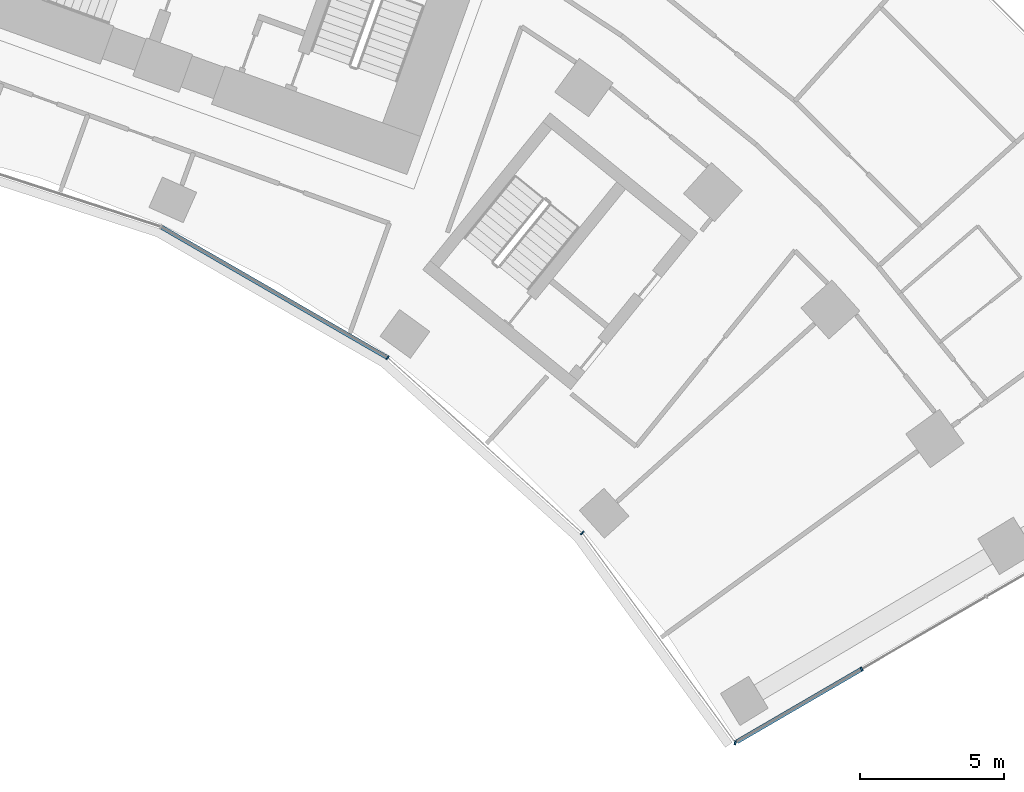
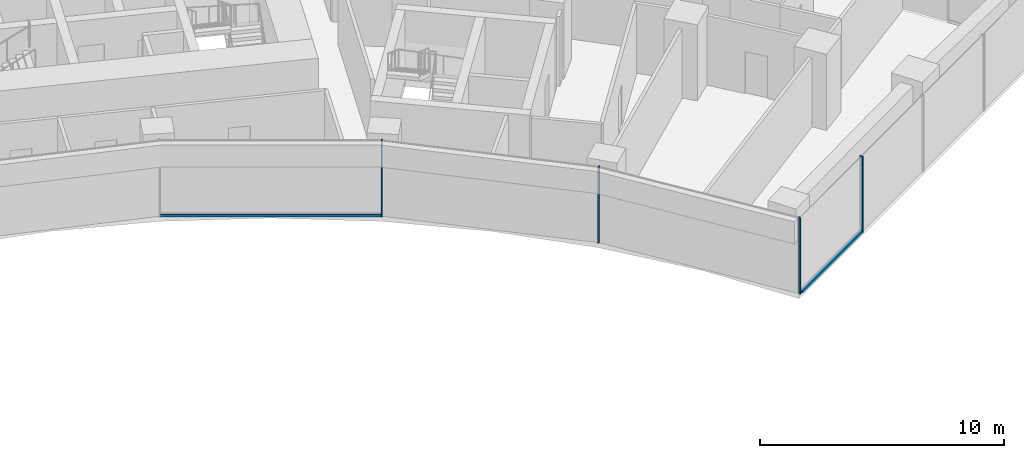
# One storey, part 7 of 20: 6 members, 2 elements without a shape of their own.
"""IFC4 building model written with IfcOpenShell, lengths in metres."""

from ifc_helpers import new_model, si_unit, direction, frame, origin, origin_2d, place, context, subcontext, project, spatial, rectangle, extrude, material, layer, layer_set, material_profile, profile_set, type_object, element, aggregate, save


model = new_model("IFC4")

# Units and contexts
model_context = context("Model", 3, precision=1e-05, world=origin(), true_north=direction((0.0, 1.0)))
body_context = subcontext(model_context, "Body", "Model", "MODEL_VIEW")
ifc_project = project(units=[si_unit("LENGTHUNIT", "METRE"), si_unit("AREAUNIT", "SQUARE_METRE"), si_unit("VOLUMEUNIT", "CUBIC_METRE"), si_unit("PLANEANGLEUNIT", "RADIAN"), si_unit("MASSUNIT", "GRAM", prefix="KILO")], contexts=[model_context])

# Site, building, storey
site_placement = place(None, origin())
site = spatial("IfcSite", under=ifc_project, at=site_placement, CompositionType="ELEMENT")
building_placement = place(site_placement, origin())
building = spatial("IfcBuilding", under=site, at=building_placement, Name="Stone Belt Terrace Tower", CompositionType="ELEMENT")
storey_placement = place(building_placement, frame((0.0, 0.0, 125.0)))
storey = spatial("IfcBuildingStorey", under=building, at=storey_placement, Name="L30", CompositionType="ELEMENT", Elevation=125.0)

# Curtain wall, members
ifc_material = material(Name="Aluminium 6063-T6 anodised frame", Category="aluminium")
ifc_layer_1 = layer(ifc_material, 0.14990234375)
ifc_layer_set_1 = layer_set([ifc_layer_1], Name="CW-B unitised concave-face curtain wall")
curtain_wall_type_1 = type_object("IfcCurtainWallType", Name="CW-B unitised concave-face curtain wall", PredefinedType="NOTDEFINED", material=ifc_layer_set_1)
curtain_wall_1_placement = place(storey_placement, origin())
curtain_wall_1 = element("IfcCurtainWall", 1, at=curtain_wall_1_placement, inside=storey, type_object=curtain_wall_type_1, Name="CW-B concave face L30", PredefinedType="NOTDEFINED")
ifc_material_profile_1 = material_profile(ifc_material, rectangle(XDim=0.14990234375, YDim=0.050048828125, at=origin_2d()), Name="Aluminium 6063-T6 50x150")
ifc_profile_set_1 = profile_set([ifc_material_profile_1], Name="Aluminium 6063-T6 anodised frame")
member_type_1 = type_object("IfcMemberType", Name="CW-B mullion 50 x 150", PredefinedType="MULLION", material=ifc_profile_set_1)
member_1_placement = place(storey_placement, frame((25.5244140625, 35.13134765625, 0.0), z_axis=(0.0, 0.0, 1.0), x_axis=(0.587785252292, 0.809016994375, 0.0)))
member_1 = element("IfcMember", 2, at=member_1_placement, type_object=member_type_1, Name="CW-B mullion 8", PredefinedType="MULLION", context=body_context, shape_type="SweptSolid", body=[
    extrude(rectangle(XDim=0.14990234375, YDim=0.050048828125, at=origin_2d()), origin(), (0.0, 0.0, 1.0), 3.800048828125),
])
member_2_placement = place(storey_placement, frame((32.270751953125, 29.056640625, 0.0), z_axis=(0.0, 0.0, 1.0), x_axis=(0.742548806143, 0.669791960608, 0.0)))
member_2 = element("IfcMember", 3, at=member_2_placement, type_object=member_type_1, Name="CW-B mullion 9", PredefinedType="MULLION", context=body_context, shape_type="SweptSolid", body=[
    extrude(rectangle(XDim=0.14990234375, YDim=0.050048828125, at=origin_2d()), origin(), (0.0, 0.0, 1.0), 3.800048828125),
])
ifc_material_profile_2 = material_profile(ifc_material, rectangle(XDim=0.14990234375, YDim=0.1201171875, at=origin_2d()), Name="Aluminium 6063-T6 150x120")
ifc_profile_set_2 = profile_set([ifc_material_profile_2], Name="Aluminium 6063-T6 anodised frame")
member_type_2 = type_object("IfcMemberType", Name="CW-B transom 120 x 150", PredefinedType="USERDEFINED", material=ifc_profile_set_2)
member_3_placement = place(storey_placement, frame((17.690673828125, 39.654052734375, 0.06005859375), z_axis=(0.866019133895, -0.500010859609, 0.0), x_axis=(0.500010859609, 0.866019133895, 0.0)))
member_3 = element("IfcMember", 4, at=member_3_placement, type_object=member_type_2, Name="CW-B transom 7.1", ObjectType="TRANSOM", PredefinedType="USERDEFINED", context=body_context, shape_type="SweptSolid", body=[
    extrude(rectangle(XDim=0.14990234375, YDim=0.1201171875, at=origin_2d()), origin(), (0.0, 0.0, 1.0), 9.012939453125),
])
aggregate(curtain_wall_1, [member_1, member_2, member_3])

ifc_layer_2 = layer(ifc_material, 0.14990234375)
ifc_layer_set_2 = layer_set([ifc_layer_2], Name="CW-C stick curtain wall, horn ends and notches")
curtain_wall_type_2 = type_object("IfcCurtainWallType", Name="CW-C stick curtain wall, horn ends and notches", PredefinedType="NOTDEFINED", material=ifc_layer_set_2)
curtain_wall_2_placement = place(storey_placement, origin())
curtain_wall_2 = element("IfcCurtainWall", 5, at=curtain_wall_2_placement, inside=storey, type_object=curtain_wall_type_2, Name="CW-C end face L30", PredefinedType="NOTDEFINED")
ifc_material_profile_3 = material_profile(ifc_material, rectangle(XDim=0.14990234375, YDim=0.06005859375, at=origin_2d()), Name="Aluminium 6063-T6 60x150")
ifc_profile_set_3 = profile_set([ifc_material_profile_3], Name="Aluminium 6063-T6 anodised frame")
member_type_3 = type_object("IfcMemberType", Name="CW-C mullion 60 x 150", PredefinedType="MULLION", material=ifc_profile_set_3)
member_4_placement = place(storey_placement, frame((37.57373046875, 21.78515625, 0.0), z_axis=(0.0, 0.0, 1.0), x_axis=(0.205298427037, 0.978699420586, 0.0)))
member_4 = element("IfcMember", 6, at=member_4_placement, type_object=member_type_3, Name="CW-C mullion 1", PredefinedType="MULLION", context=body_context, shape_type="SweptSolid", body=[
    extrude(rectangle(XDim=0.14990234375, YDim=0.06005859375, at=origin_2d()), origin(), (0.0, 0.0, 1.0), 3.800048828125),
])
member_5_placement = place(storey_placement, frame((41.953369140625, 24.334716796875, 0.0), z_axis=(0.0, 0.0, 1.0), x_axis=(-0.503080901861, 0.864239322284, 0.0)))
member_5 = element("IfcMember", 7, at=member_5_placement, type_object=member_type_3, Name="CW-C mullion 2", PredefinedType="MULLION", context=body_context, shape_type="SweptSolid", body=[
    extrude(rectangle(XDim=0.14990234375, YDim=0.06005859375, at=origin_2d()), origin(), (0.0, 0.0, 1.0), 3.800048828125),
])
ifc_material_profile_4 = material_profile(ifc_material, rectangle(XDim=0.14990234375, YDim=0.1201171875, at=origin_2d()), Name="Aluminium 6063-T6 150x120")
ifc_profile_set_4 = profile_set([ifc_material_profile_4], Name="Aluminium 6063-T6 anodised frame")
member_type_4 = type_object("IfcMemberType", Name="CW-C transom 120 x 150", PredefinedType="USERDEFINED", material=ifc_profile_set_4)
member_6_placement = place(storey_placement, frame((37.63623046875, 21.821533203125, 0.06005859375), z_axis=(0.864233293303, 0.503091258865, 0.0), x_axis=(-0.503091258865, 0.864233293303, 0.0)))
member_6 = element("IfcMember", 8, at=member_6_placement, type_object=member_type_4, Name="CW-C transom 1.1", ObjectType="TRANSOM", PredefinedType="USERDEFINED", context=body_context, shape_type="SweptSolid", body=[
    extrude(rectangle(XDim=0.14990234375, YDim=0.1201171875, at=origin_2d()), origin(), (0.0, 0.0, 1.0), 4.96533203125),
])
aggregate(curtain_wall_2, [member_4, member_5, member_6])

save(model, "model.ifc")
